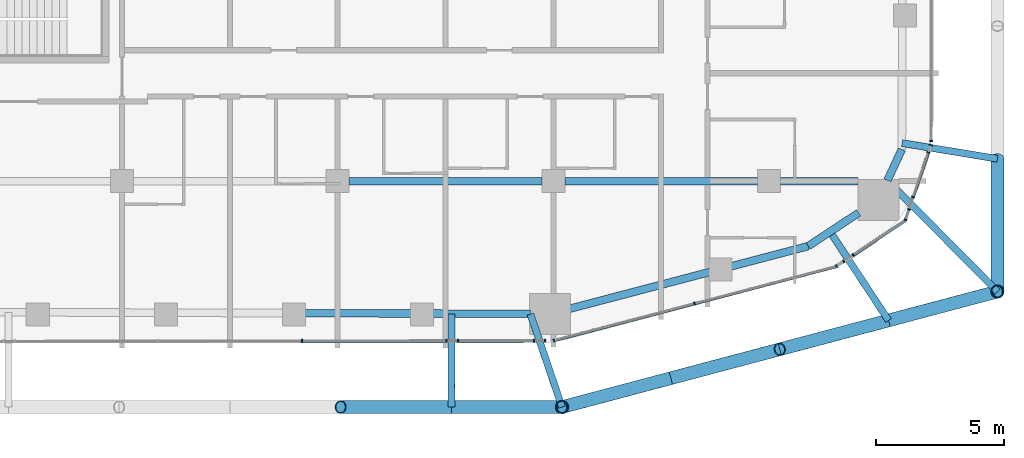
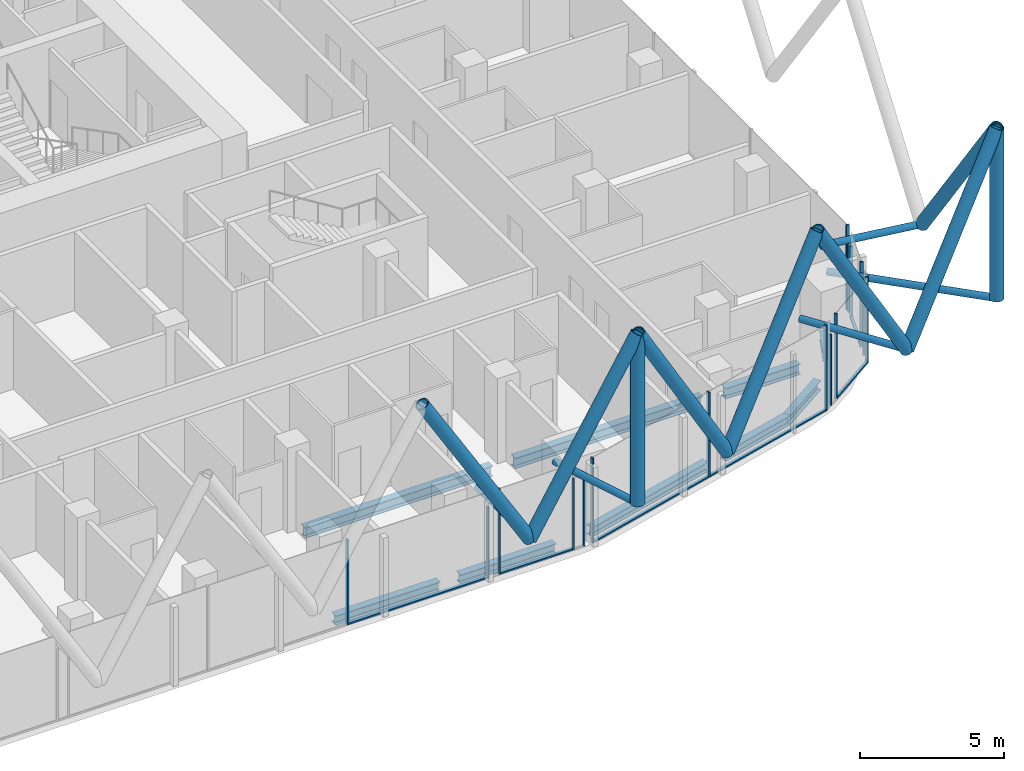
# One storey, part 6 of 36: 36 members, 9 beams, 13 elements without a shape of their own.
"""IFC4 building model written with IfcOpenShell, lengths in metres."""

from ifc_helpers import new_model, si_unit, direction, frame, origin, origin_2d, place, context, subcontext, project, spatial, rectangle, hollow_circle, i_section, extrude, material, layer, layer_set, material_profile, profile_set, type_object, element, aggregate, save


model = new_model("IFC4")

# Units and contexts
model_context = context("Model", 3, precision=1e-05, world=origin(), true_north=direction((0.0, 1.0)))
body_context = subcontext(model_context, "Body", "Model", "MODEL_VIEW")
ifc_project = project(units=[si_unit("LENGTHUNIT", "METRE"), si_unit("AREAUNIT", "SQUARE_METRE"), si_unit("VOLUMEUNIT", "CUBIC_METRE"), si_unit("PLANEANGLEUNIT", "RADIAN"), si_unit("MASSUNIT", "GRAM", prefix="KILO")], contexts=[model_context])

# Site, building, storey
site_placement = place(None, origin())
site = spatial("IfcSite", under=ifc_project, at=site_placement, CompositionType="ELEMENT")
building_placement = place(site_placement, origin())
building = spatial("IfcBuilding", under=site, at=building_placement, Name="Marenta Gate Hotel Tower", CompositionType="ELEMENT")
storey_placement = place(building_placement, frame((0.0, 0.0, 144.5)))
storey = spatial("IfcBuildingStorey", under=building, at=storey_placement, Name="L33", CompositionType="ELEMENT", Elevation=144.5)

# Members
ifc_material_1 = material(Name="Steel S355J2W", Category="steel")
ifc_material_profile_1 = material_profile(ifc_material_1, hollow_circle(Radius=0.25390625, WallThickness=0.02490234375, at=origin_2d()), Name="CHS 508x25")
ifc_profile_set_1 = profile_set([ifc_material_profile_1], Name="Steel S355J2W")
member_type_1 = type_object("IfcMemberType", Name="Diagrid corner post Z2 CHS 508x25", PredefinedType="POST", material=ifc_profile_set_1)
for number, where, z_axis, x_axis, name in (
    (1, (29.89990234375, -21.10009765625, 3.139892578125), (0.0, 0.0, 1.0), (1.0, 0.0, 0.0), "L33-DR-2"),
    (2, (12.93896484375, -25.60009765625, 3.139892578125), (0.0, 0.0, 1.0), (1.0, 0.0, 0.0), "L33-DR-3"),
):
    element("IfcMember", number, at=place(storey_placement, frame(where, z_axis=z_axis, x_axis=x_axis)), inside=storey, type_object=member_type_1, Name=name, PredefinedType="POST", context=body_context, shape_type="SweptSolid", body=[
        extrude(hollow_circle(Radius=0.25390625, WallThickness=0.02490234375, at=origin_2d()), origin(), (0.0, 0.0, 1.0), 7.2001953125),
    ])
ifc_material_2 = material(Name="Steel S355J2W", Category="steel")
ifc_material_profile_2 = material_profile(ifc_material_2, hollow_circle(Radius=0.25390625, WallThickness=0.0400390625, at=origin_2d()), Name="CHS 508x40")
ifc_profile_set_2 = profile_set([ifc_material_profile_2], Name="Steel S355J2W")
member_type_2 = type_object("IfcMemberType", Name="Diagrid diagonal Z2 CHS 508x40", PredefinedType="BRACE", material=ifc_profile_set_2)
member_1_placement = place(storey_placement, frame((29.89990234375, -15.93017578125, 3.139892578125), z_axis=(0.0, -0.583247791947, 0.812294289767), x_axis=(1.0, 0.0, 0.0)))
element("IfcMember", 3, at=member_1_placement, inside=storey, type_object=member_type_2, Name="L33-DG-10", PredefinedType="BRACE", context=body_context, shape_type="SweptSolid", body=[
    extrude(hollow_circle(Radius=0.25390625, WallThickness=0.0400390625, at=origin_2d()), origin(), (0.0, 0.0, 1.0), 8.864013671875),
])
member_2_placement = place(storey_placement, frame((25.659912109375, -22.22509765625, 3.139892578125), z_axis=(0.502889949368, 0.133432192474, 0.853989197142), x_axis=(-0.256456982503, 0.966555645644, 0.0)))
element("IfcMember", 4, at=member_2_placement, inside=storey, type_object=member_type_2, Name="L33-DG-11", PredefinedType="BRACE", context=body_context, shape_type="SweptSolid", body=[
    extrude(hollow_circle(Radius=0.25390625, WallThickness=0.0400390625, at=origin_2d()), origin(), (0.0, 0.0, 1.0), 8.43115234375),
])
for number, where, z_axis, x_axis, name in (
    (5, (25.659912109375, -22.22509765625, 3.139892578125), (-0.502933214587, -0.13342830634, 0.853964325211), (0.256429393985, -0.966562965306, 0.0), "L33-DG-12"),
    (6, (17.17919921875, -24.47509765625, 3.139892578125), (0.50291158245, 0.13343024942, 0.853976761263), (-0.256443187528, 0.96655930577, 0.0), "L33-DG-13"),
    (7, (17.17919921875, -24.47509765625, 3.139892578125), (-0.50291158245, -0.13343024942, 0.853976761263), (0.256443187528, -0.96655930577, 0.0), "L33-DG-14"),
):
    element("IfcMember", number, at=place(storey_placement, frame(where, z_axis=z_axis, x_axis=x_axis)), inside=storey, type_object=member_type_2, Name=name, PredefinedType="BRACE", context=body_context, shape_type="SweptSolid", body=[
        extrude(hollow_circle(Radius=0.25390625, WallThickness=0.0400390625, at=origin_2d()), origin(), (0.0, 0.0, 1.0), 8.431396484375),
    ])
for number, where, z_axis, x_axis, name in (
    (8, (8.6259765625, -25.60009765625, 3.139892578125), (0.513871079492, 0.0, 0.857867421961), (0.0, 1.0, 0.0), "L33-DG-15"),
    (9, (8.6259765625, -25.60009765625, 3.139892578125), (-0.513871079492, 0.0, 0.857867421961), (0.0, -1.0, 0.0), "L33-DG-16"),
):
    element("IfcMember", number, at=place(storey_placement, frame(where, z_axis=z_axis, x_axis=x_axis)), inside=storey, type_object=member_type_2, Name=name, PredefinedType="BRACE", context=body_context, shape_type="SweptSolid", body=[
        extrude(hollow_circle(Radius=0.25390625, WallThickness=0.0400390625, at=origin_2d()), origin(), (0.0, 0.0, 1.0), 8.39306640625),
    ])

# Beams
ifc_material_3 = material(Name="Steel S355", Category="steel")
ifc_material_profile_3 = material_profile(ifc_material_3, i_section(OverallWidth=0.300048828125, OverallDepth=0.39990234375, WebThickness=0.013427734375, FlangeThickness=0.02392578125, FilletRadius=0.027099609375, at=origin_2d()), Name="HEB 400")
ifc_profile_set_3 = profile_set([ifc_material_profile_3], Name="Steel S355")
beam_type_1 = type_object("IfcBeamType", Name="Edge beam HEB 400", PredefinedType="SPANDREL", material=ifc_profile_set_3)
beam_1_placement = place(storey_placement, frame((26.175048828125, -15.567138671875, -0.4599609375), z_axis=(-0.423207780269, -0.906032656541, 0.0), x_axis=(0.906032656541, -0.423207780269, 0.0)))
element("IfcBeam", 10, at=beam_1_placement, inside=storey, type_object=beam_type_1, Name="L33-EB-28", PredefinedType="SPANDREL", context=body_context, shape_type="SweptSolid", body=[
    extrude(i_section(OverallWidth=0.300048828125, OverallDepth=0.39990234375, WebThickness=0.013427734375, FlangeThickness=0.02392578125, FilletRadius=0.027099609375, at=origin_2d()), origin(), (0.0, 0.0, 1.0), 1.326904296875),
])
beam_2_placement = place(storey_placement, frame((24.496337890625, -18.0322265625, -0.4599609375), z_axis=(-0.834496060599, -0.551013906217, 0.0), x_axis=(0.551013906217, -0.834496060599, 0.0)))
element("IfcBeam", 11, at=beam_2_placement, inside=storey, type_object=beam_type_1, Name="L33-EB-29", PredefinedType="SPANDREL", context=body_context, shape_type="SweptSolid", body=[
    extrude(i_section(OverallWidth=0.300048828125, OverallDepth=0.39990234375, WebThickness=0.013427734375, FlangeThickness=0.02392578125, FilletRadius=0.027099609375, at=origin_2d()), origin(), (0.0, 0.0, 1.0), 2.357177734375),
])
beam_3_placement = place(storey_placement, frame((22.529296875, -19.3310546875, -0.4599609375), z_axis=(-0.967224706208, -0.25392197168, 0.0), x_axis=(0.25392197168, -0.967224706208, 0.0)))
element("IfcBeam", 12, at=beam_3_placement, inside=storey, type_object=beam_type_1, Name="L33-EB-30", PredefinedType="SPANDREL", context=body_context, shape_type="SweptSolid", body=[
    extrude(i_section(OverallWidth=0.300048828125, OverallDepth=0.39990234375, WebThickness=0.013427734375, FlangeThickness=0.02392578125, FilletRadius=0.027099609375, at=origin_2d()), origin(), (0.0, 0.0, 1.0), 3.11328125),
])
beam_4_placement = place(storey_placement, frame((18.695556640625, -20.33740234375, -0.4599609375), z_axis=(-0.96723321901, -0.253889542999, 0.0), x_axis=(0.253889542999, -0.96723321901, 0.0)))
element("IfcBeam", 13, at=beam_4_placement, inside=storey, type_object=beam_type_1, Name="L33-EB-31", PredefinedType="SPANDREL", context=body_context, shape_type="SweptSolid", body=[
    extrude(i_section(OverallWidth=0.300048828125, OverallDepth=0.39990234375, WebThickness=0.013427734375, FlangeThickness=0.02392578125, FilletRadius=0.027099609375, at=origin_2d()), origin(), (0.0, 0.0, 1.0), 5.6533203125),
])
beam_5_placement = place(storey_placement, frame((11.706298828125, -21.97021484375, -0.4599609375), z_axis=(-0.999994883969, 0.003198755307, 0.0), x_axis=(-0.003198755307, -0.999994883969, 0.0)))
element("IfcBeam", 14, at=beam_5_placement, inside=storey, type_object=beam_type_1, Name="L33-EB-32", PredefinedType="SPANDREL", context=body_context, shape_type="SweptSolid", body=[
    extrude(i_section(OverallWidth=0.300048828125, OverallDepth=0.39990234375, WebThickness=0.013427734375, FlangeThickness=0.02392578125, FilletRadius=0.027099609375, at=origin_2d()), origin(), (0.0, 0.0, 1.0), 3.816162109375),
])
beam_6_placement = place(storey_placement, frame((7.070068359375, -21.955322265625, -0.4599609375), z_axis=(-0.999994807487, 0.003222576575, 0.0), x_axis=(-0.003222576575, -0.999994807487, 0.0)))
element("IfcBeam", 15, at=beam_6_placement, inside=storey, type_object=beam_type_1, Name="L33-EB-33", PredefinedType="SPANDREL", context=body_context, shape_type="SweptSolid", body=[
    extrude(i_section(OverallWidth=0.300048828125, OverallDepth=0.39990234375, WebThickness=0.013427734375, FlangeThickness=0.02392578125, FilletRadius=0.027099609375, at=origin_2d()), origin(), (0.0, 0.0, 1.0), 4.166748046875),
])

# Members
ifc_material_4 = material(Name="Steel S355J2W", Category="steel")
ifc_material_profile_4 = material_profile(ifc_material_4, hollow_circle(Radius=0.136474609375, WallThickness=0.012451171875, at=origin_2d()), Name="CHS 273x12.5")
ifc_profile_set_4 = profile_set([ifc_material_profile_4], Name="Steel S355J2W")
member_type_3 = type_object("IfcMemberType", Name="Floor tie CHS 273x12.5", PredefinedType="STRUT", material=ifc_profile_set_4)
member_3_placement = place(storey_placement, frame((29.89990234375, -15.93017578125, 3.139892578125), z_axis=(-0.986724686623, 0.162401948291, 0.0), x_axis=(-0.162401948291, -0.986724686623, 0.0)))
element("IfcMember", 16, at=member_3_placement, inside=storey, type_object=member_type_3, Name="L33-DR-10", PredefinedType="STRUT", context=body_context, shape_type="SweptSolid", body=[
    extrude(hollow_circle(Radius=0.136474609375, WallThickness=0.012451171875, at=origin_2d()), origin(), (0.0, 0.0, 1.0), 3.767333984375),
])
member_4_placement = place(storey_placement, frame((29.89990234375, -21.10009765625, 3.139892578125), z_axis=(-0.703467207322, 0.710727717359, 0.0), x_axis=(-0.710727717359, -0.703467207322, 0.0)))
element("IfcMember", 17, at=member_4_placement, inside=storey, type_object=member_type_3, Name="L33-DR-11", PredefinedType="STRUT", context=body_context, shape_type="SweptSolid", body=[
    extrude(hollow_circle(Radius=0.136474609375, WallThickness=0.012451171875, at=origin_2d()), origin(), (0.0, 0.0, 1.0), 6.086181640625),
])
member_5_placement = place(storey_placement, frame((25.659912109375, -22.22509765625, 3.139892578125), z_axis=(-0.551028164998, 0.834486645417, 0.0), x_axis=(-0.834486645417, -0.551028164998, 0.0)))
element("IfcMember", 18, at=member_5_placement, inside=storey, type_object=member_type_3, Name="L33-DR-12", PredefinedType="STRUT", context=body_context, shape_type="SweptSolid", body=[
    extrude(hollow_circle(Radius=0.136474609375, WallThickness=0.012451171875, at=origin_2d()), origin(), (0.0, 0.0, 1.0), 4.13330078125),
])
member_6_placement = place(storey_placement, frame((12.93896484375, -25.60009765625, 3.139892578125), z_axis=(-0.321582426358, 0.94688158872, 0.0), x_axis=(-0.94688158872, -0.321582426358, 0.0)))
element("IfcMember", 19, at=member_6_placement, inside=storey, type_object=member_type_3, Name="L33-DR-13", PredefinedType="STRUT", context=body_context, shape_type="SweptSolid", body=[
    extrude(hollow_circle(Radius=0.136474609375, WallThickness=0.012451171875, at=origin_2d()), origin(), (0.0, 0.0, 1.0), 3.826171875),
])
member_7_placement = place(storey_placement, frame((8.6259765625, -25.60009765625, 3.139892578125), z_axis=(0.003225789668, 0.999994797127, 0.0), x_axis=(-0.999994797127, 0.003225789668, 0.0)))
element("IfcMember", 20, at=member_7_placement, inside=storey, type_object=member_type_3, Name="L33-DR-14", PredefinedType="STRUT", context=body_context, shape_type="SweptSolid", body=[
    extrude(hollow_circle(Radius=0.136474609375, WallThickness=0.012451171875, at=origin_2d()), origin(), (0.0, 0.0, 1.0), 3.6328125),
])

# Beams
ifc_material_5 = material(Name="Steel S355", Category="steel")
ifc_material_profile_5 = material_profile(ifc_material_5, i_section(OverallWidth=0.300048828125, OverallDepth=0.449951171875, WebThickness=0.013916015625, FlangeThickness=0.02587890625, FilletRadius=0.027099609375, at=origin_2d()), Name="HEB 450")
ifc_profile_set_5 = profile_set([ifc_material_profile_5], Name="Steel S355")
beam_type_2 = type_object("IfcBeamType", Name="Girder HEB 450", PredefinedType="BEAM", material=ifc_profile_set_5)
for number, where, z_axis, x_axis, name in (
    (21, (4.64990234375, -16.800048828125, -0.485107421875), (1.0, 0.0, 0.0), (0.0, 1.0, 0.0), "L33-GD-5"),
    (22, (13.050048828125, -16.800048828125, -0.485107421875), (1.0, 0.0, 0.0), (0.0, 1.0, 0.0), "L33-GD-6"),
):
    element("IfcBeam", number, at=place(storey_placement, frame(where, z_axis=z_axis, x_axis=x_axis)), inside=storey, type_object=beam_type_2, Name=name, PredefinedType="BEAM", context=body_context, shape_type="SweptSolid", body=[
        extrude(i_section(OverallWidth=0.300048828125, OverallDepth=0.449951171875, WebThickness=0.013916015625, FlangeThickness=0.02587890625, FilletRadius=0.027099609375, at=origin_2d()), origin(), (0.0, 0.0, 1.0), 7.5),
    ])
beam_7_placement = place(storey_placement, frame((21.449951171875, -16.800048828125, -0.485107421875), z_axis=(1.0, 0.0, 0.0), x_axis=(0.0, 1.0, 0.0)))
element("IfcBeam", 23, at=beam_7_placement, inside=storey, type_object=beam_type_2, Name="L33-GD-7", PredefinedType="BEAM", context=body_context, shape_type="SweptSolid", body=[
    extrude(i_section(OverallWidth=0.300048828125, OverallDepth=0.449951171875, WebThickness=0.013916015625, FlangeThickness=0.02587890625, FilletRadius=0.027099609375, at=origin_2d()), origin(), (0.0, 0.0, 1.0), 3.012939453125),
])

# Curtain wall, member
ifc_material_6 = material(Name="Tinted insulated glass in bronze anodised frame", Category="glass")
ifc_layer = layer(ifc_material_6, 0.1201171875)
ifc_layer_set = layer_set([ifc_layer], Name="Tinted insulated glass in bronze anodised frame")
curtain_wall_type = type_object("IfcCurtainWallType", Name="Tower unitised curtain wall CW1", PredefinedType="NOTDEFINED", material=ifc_layer_set)
curtain_wall_1_placement = place(storey_placement, origin())
curtain_wall_1 = element("IfcCurtainWall", 24, at=curtain_wall_1_placement, inside=storey, type_object=curtain_wall_type, Name="CW1 run G21", PredefinedType="NOTDEFINED")
ifc_material_7 = material(Name="Bronze anodised aluminium", Category="aluminium")
ifc_material_profile_6 = material_profile(ifc_material_7, rectangle(XDim=0.1201171875, YDim=0.06005859375, at=origin_2d()), Name="Mullion CW1 60x120 bronze anodised aluminium")
ifc_profile_set_6 = profile_set([ifc_material_profile_6], Name="Bronze anodised aluminium")
member_type_4 = type_object("IfcMemberType", Name="Mullion CW1 60x120 bronze anodised aluminium", PredefinedType="MULLION", material=ifc_profile_set_6)
member_8_placement = place(storey_placement, frame((2.80810546875, -23.026611328125, 0.0), z_axis=(0.0, 0.0, 1.0), x_axis=(-0.001363166999, 0.999999070887, 0.0)))
member_8 = element("IfcMember", 25, at=member_8_placement, type_object=member_type_4, Name="CW1 mullion 3", PredefinedType="MULLION", context=body_context, shape_type="SweptSolid", body=[
    extrude(rectangle(XDim=0.1201171875, YDim=0.06005859375, at=origin_2d()), origin(), (0.0, 0.0, 1.0), 3.60009765625),
])

curtain_wall_2_placement = place(storey_placement, origin())
curtain_wall_2 = element("IfcCurtainWall", 26, at=curtain_wall_2_placement, inside=storey, type_object=curtain_wall_type, Name="CW1 run G22", PredefinedType="NOTDEFINED")
member_9_placement = place(storey_placement, frame((8.437744140625, -23.01904296875, 0.0), z_axis=(0.0, 0.0, 1.0), x_axis=(-0.001324502144, 0.999999122847, 0.0)))
member_9 = element("IfcMember", 27, at=member_9_placement, type_object=member_type_4, Name="CW1 mullion 1", PredefinedType="MULLION", context=body_context, shape_type="SweptSolid", body=[
    extrude(rectangle(XDim=0.1201171875, YDim=0.06005859375, at=origin_2d()), origin(), (0.0, 0.0, 1.0), 3.00048828125),
])
aggregate(curtain_wall_2, [member_9])

curtain_wall_3_placement = place(storey_placement, origin())
curtain_wall_3 = element("IfcCurtainWall", 28, at=curtain_wall_3_placement, inside=storey, type_object=curtain_wall_type, Name="CW1 run G23", PredefinedType="NOTDEFINED")
member_10_placement = place(storey_placement, frame((8.890869140625, -23.018310546875, 0.0), z_axis=(0.0, 0.0, 1.0), x_axis=(-0.001384712772, 0.999999041285, 0.0)))
member_10 = element("IfcMember", 29, at=member_10_placement, type_object=member_type_4, Name="CW1 mullion 1", PredefinedType="MULLION", context=body_context, shape_type="SweptSolid", body=[
    extrude(rectangle(XDim=0.1201171875, YDim=0.06005859375, at=origin_2d()), origin(), (0.0, 0.0, 1.0), 3.60009765625),
])

# Curtain wall, members
curtain_wall_4_placement = place(storey_placement, origin())
curtain_wall_4 = element("IfcCurtainWall", 30, at=curtain_wall_4_placement, inside=storey, type_object=curtain_wall_type, Name="CW1 run G24", PredefinedType="NOTDEFINED")
member_11_placement = place(storey_placement, frame((11.851806640625, -23.01416015625, 0.0), z_axis=(0.0, 0.0, 1.0), x_axis=(-0.001254704164, 0.999999212858, 0.0)))
member_11 = element("IfcMember", 31, at=member_11_placement, type_object=member_type_4, Name="CW1 mullion 1", PredefinedType="MULLION", context=body_context, shape_type="SweptSolid", body=[
    extrude(rectangle(XDim=0.1201171875, YDim=0.06005859375, at=origin_2d()), origin(), (0.0, 0.0, 1.0), 3.00048828125),
])
member_12_placement = place(storey_placement, frame((12.27001953125, -23.013671875, 0.0), z_axis=(0.0, 0.0, 1.0), x_axis=(-0.001254704164, 0.999999212858, 0.0)))
member_12 = element("IfcMember", 32, at=member_12_placement, type_object=member_type_4, Name="CW1 mullion 2", PredefinedType="MULLION", context=body_context, shape_type="SweptSolid", body=[
    extrude(rectangle(XDim=0.1201171875, YDim=0.06005859375, at=origin_2d()), origin(), (0.0, 0.0, 1.0), 3.00048828125),
])
aggregate(curtain_wall_4, [member_11, member_12])

curtain_wall_5_placement = place(storey_placement, origin())
curtain_wall_5 = element("IfcCurtainWall", 33, at=curtain_wall_5_placement, inside=storey, type_object=curtain_wall_type, Name="CW1 run G25", PredefinedType="NOTDEFINED")
member_13_placement = place(storey_placement, frame((12.626708984375, -23.005615234375, 0.0), z_axis=(0.0, 0.0, 1.0), x_axis=(-0.253374270473, 0.967368326473, 0.0)))
member_13 = element("IfcMember", 34, at=member_13_placement, type_object=member_type_4, Name="CW1 mullion 1", PredefinedType="MULLION", context=body_context, shape_type="SweptSolid", body=[
    extrude(rectangle(XDim=0.1201171875, YDim=0.06005859375, at=origin_2d()), origin(), (0.0, 0.0, 1.0), 3.60009765625),
])
member_14_placement = place(storey_placement, frame((18.102783203125, -21.571533203125, 0.0), z_axis=(0.0, 0.0, 1.0), x_axis=(-0.253374270473, 0.967368326473, 0.0)))
member_14 = element("IfcMember", 35, at=member_14_placement, type_object=member_type_4, Name="CW1 mullion 2", PredefinedType="MULLION", context=body_context, shape_type="SweptSolid", body=[
    extrude(rectangle(XDim=0.1201171875, YDim=0.06005859375, at=origin_2d()), origin(), (0.0, 0.0, 1.0), 3.60009765625),
])

# Curtain wall, member
curtain_wall_6_placement = place(storey_placement, origin())
curtain_wall_6 = element("IfcCurtainWall", 36, at=curtain_wall_6_placement, inside=storey, type_object=curtain_wall_type, Name="CW1 run G26", PredefinedType="NOTDEFINED")
member_15_placement = place(storey_placement, frame((23.632568359375, -20.113037109375, 0.0), z_axis=(0.0, 0.0, 1.0), x_axis=(-0.553864525199, 0.832606802594, 0.0)))
member_15 = element("IfcMember", 37, at=member_15_placement, type_object=member_type_4, Name="CW1 mullion 1", PredefinedType="MULLION", context=body_context, shape_type="SweptSolid", body=[
    extrude(rectangle(XDim=0.1201171875, YDim=0.06005859375, at=origin_2d()), origin(), (0.0, 0.0, 1.0), 3.60009765625),
])
aggregate(curtain_wall_6, [member_15])

curtain_wall_7_placement = place(storey_placement, origin())
curtain_wall_7 = element("IfcCurtainWall", 38, at=curtain_wall_7_placement, inside=storey, type_object=curtain_wall_type, Name="CW1 run G27", PredefinedType="NOTDEFINED")
member_16_placement = place(storey_placement, frame((23.90869140625, -19.929443359375, 0.0), z_axis=(0.0, 0.0, 1.0), x_axis=(-0.554088731944, 0.832457612814, 0.0)))
member_16 = element("IfcMember", 39, at=member_16_placement, type_object=member_type_4, Name="CW1 mullion 1", PredefinedType="MULLION", context=body_context, shape_type="SweptSolid", body=[
    extrude(rectangle(XDim=0.1201171875, YDim=0.06005859375, at=origin_2d()), origin(), (0.0, 0.0, 1.0), 3.00048828125),
])
aggregate(curtain_wall_7, [member_16])

curtain_wall_8_placement = place(storey_placement, origin())
curtain_wall_8 = element("IfcCurtainWall", 40, at=curtain_wall_8_placement, inside=storey, type_object=curtain_wall_type, Name="CW1 run G28", PredefinedType="NOTDEFINED")
member_17_placement = place(storey_placement, frame((24.28564453125, -19.678466796875, 0.0), z_axis=(0.0, 0.0, 1.0), x_axis=(-0.554023350707, 0.832501127249, 0.0)))
member_17 = element("IfcMember", 41, at=member_17_placement, type_object=member_type_4, Name="CW1 mullion 1", PredefinedType="MULLION", context=body_context, shape_type="SweptSolid", body=[
    extrude(rectangle(XDim=0.1201171875, YDim=0.06005859375, at=origin_2d()), origin(), (0.0, 0.0, 1.0), 3.60009765625),
])

curtain_wall_9_placement = place(storey_placement, origin())
curtain_wall_9 = element("IfcCurtainWall", 42, at=curtain_wall_9_placement, inside=storey, type_object=curtain_wall_type, Name="CW1 run G29", PredefinedType="NOTDEFINED")
member_18_placement = place(storey_placement, frame((26.314453125, -18.30615234375, 0.0), z_axis=(0.0, 0.0, 1.0), x_axis=(-0.946727185016, 0.322036701561, 0.0)))
member_18 = element("IfcMember", 43, at=member_18_placement, type_object=member_type_4, Name="CW1 mullion 1", PredefinedType="MULLION", context=body_context, shape_type="SweptSolid", body=[
    extrude(rectangle(XDim=0.1201171875, YDim=0.06005859375, at=origin_2d()), origin(), (0.0, 0.0, 1.0), 3.60009765625),
])
aggregate(curtain_wall_9, [member_18])

curtain_wall_10_placement = place(storey_placement, origin())
curtain_wall_10 = element("IfcCurtainWall", 44, at=curtain_wall_10_placement, inside=storey, type_object=curtain_wall_type, Name="CW1 run G30", PredefinedType="NOTDEFINED")
member_19_placement = place(storey_placement, frame((26.452392578125, -17.90087890625, 0.0), z_axis=(0.0, 0.0, 1.0), x_axis=(-0.946729383953, 0.322030237029, 0.0)))
member_19 = element("IfcMember", 45, at=member_19_placement, type_object=member_type_4, Name="CW1 mullion 1", PredefinedType="MULLION", context=body_context, shape_type="SweptSolid", body=[
    extrude(rectangle(XDim=0.1201171875, YDim=0.06005859375, at=origin_2d()), origin(), (0.0, 0.0, 1.0), 3.00048828125),
])
aggregate(curtain_wall_10, [member_19])

curtain_wall_11_placement = place(storey_placement, origin())
curtain_wall_11 = element("IfcCurtainWall", 46, at=curtain_wall_11_placement, inside=storey, type_object=curtain_wall_type, Name="CW1 run G31", PredefinedType="NOTDEFINED")
member_20_placement = place(storey_placement, frame((26.615478515625, -17.421630859375, 0.0), z_axis=(0.0, 0.0, 1.0), x_axis=(-0.946728842502, 0.322031828824, 0.0)))
member_20 = element("IfcMember", 47, at=member_20_placement, type_object=member_type_4, Name="CW1 mullion 1", PredefinedType="MULLION", context=body_context, shape_type="SweptSolid", body=[
    extrude(rectangle(XDim=0.1201171875, YDim=0.06005859375, at=origin_2d()), origin(), (0.0, 0.0, 1.0), 3.60009765625),
])

# Curtain wall, members
curtain_wall_12_placement = place(storey_placement, origin())
curtain_wall_12 = element("IfcCurtainWall", 48, at=curtain_wall_12_placement, inside=storey, type_object=curtain_wall_type, Name="CW1 run G32", PredefinedType="NOTDEFINED")
member_21_placement = place(storey_placement, frame((27.205810546875, -15.686279296875, 0.0), z_axis=(0.0, 0.0, 1.0), x_axis=(-0.946726116827, 0.322039841818, 0.0)))
member_21 = element("IfcMember", 49, at=member_21_placement, type_object=member_type_4, Name="CW1 mullion 1", PredefinedType="MULLION", context=body_context, shape_type="SweptSolid", body=[
    extrude(rectangle(XDim=0.1201171875, YDim=0.06005859375, at=origin_2d()), origin(), (0.0, 0.0, 1.0), 3.00048828125),
])
member_22_placement = place(storey_placement, frame((27.304443359375, -15.396484375, 0.0), z_axis=(0.0, 0.0, 1.0), x_axis=(-0.946726116827, 0.322039841818, 0.0)))
member_22 = element("IfcMember", 50, at=member_22_placement, type_object=member_type_4, Name="CW1 mullion 2", PredefinedType="MULLION", context=body_context, shape_type="SweptSolid", body=[
    extrude(rectangle(XDim=0.1201171875, YDim=0.06005859375, at=origin_2d()), origin(), (0.0, 0.0, 1.0), 3.00048828125),
])
aggregate(curtain_wall_12, [member_21, member_22])

# Curtain wall, member
curtain_wall_13_placement = place(storey_placement, origin())
curtain_wall_13 = element("IfcCurtainWall", 51, at=curtain_wall_13_placement, inside=storey, type_object=curtain_wall_type, Name="CW1 run G33", PredefinedType="NOTDEFINED")
member_23_placement = place(storey_placement, frame((27.31396484375, -15.244873046875, 0.0), z_axis=(0.0, 0.0, 1.0), x_axis=(-1.0, 0.0, 0.0)))
member_23 = element("IfcMember", 52, at=member_23_placement, type_object=member_type_4, Name="CW1 mullion 1", PredefinedType="MULLION", context=body_context, shape_type="SweptSolid", body=[
    extrude(rectangle(XDim=0.1201171875, YDim=0.06005859375, at=origin_2d()), origin(), (0.0, 0.0, 1.0), 3.60009765625),
])
aggregate(curtain_wall_13, [member_23])

# Member
ifc_material_8 = material(Name="Bronze anodised aluminium", Category="aluminium")
ifc_material_profile_7 = material_profile(ifc_material_8, rectangle(XDim=0.1201171875, YDim=0.06005859375, at=origin_2d()), Name="Transom CW1 60x120 bronze anodised aluminium")
ifc_profile_set_7 = profile_set([ifc_material_profile_7], Name="Bronze anodised aluminium")
member_type_5 = type_object("IfcMemberType", Name="Transom CW1 60x120 bronze anodised aluminium", PredefinedType="USERDEFINED", material=ifc_profile_set_7)
member_24_placement = place(storey_placement, frame((2.838134765625, -23.026611328125, 0.030029296875), z_axis=(0.999999076732, 0.001358873071, 0.0), x_axis=(-0.001358873071, 0.999999076732, 0.0)))
member_24 = element("IfcMember", 53, at=member_24_placement, type_object=member_type_5, Name="CW1 transom 3.1", ObjectType="TRANSOM", PredefinedType="USERDEFINED", context=body_context, shape_type="SweptSolid", body=[
    extrude(rectangle(XDim=0.1201171875, YDim=0.06005859375, at=origin_2d()), origin(), (0.0, 0.0, 1.0), 5.569580078125),
])

aggregate(curtain_wall_1, [member_8, member_24])

member_25_placement = place(storey_placement, frame((8.9208984375, -23.018310546875, 0.030029296875), z_axis=(0.99999909337, 0.00134657343, 0.0), x_axis=(-0.00134657343, 0.99999909337, 0.0)))
member_25 = element("IfcMember", 54, at=member_25_placement, type_object=member_type_5, Name="CW1 transom 1.1", ObjectType="TRANSOM", PredefinedType="USERDEFINED", context=body_context, shape_type="SweptSolid", body=[
    extrude(rectangle(XDim=0.1201171875, YDim=0.06005859375, at=origin_2d()), origin(), (0.0, 0.0, 1.0), 2.90087890625),
])

aggregate(curtain_wall_3, [member_10, member_25])

member_26_placement = place(storey_placement, frame((12.65576171875, -22.998046875, 0.030029296875), z_axis=(0.967374258372, 0.25335162174, 0.0), x_axis=(-0.25335162174, 0.967374258372, 0.0)))
member_26 = element("IfcMember", 55, at=member_26_placement, type_object=member_type_5, Name="CW1 transom 1.1", ObjectType="TRANSOM", PredefinedType="USERDEFINED", context=body_context, shape_type="SweptSolid", body=[
    extrude(rectangle(XDim=0.1201171875, YDim=0.06005859375, at=origin_2d()), origin(), (0.0, 0.0, 1.0), 5.6005859375),
])

member_27_placement = place(storey_placement, frame((18.1318359375, -21.56396484375, 0.030029296875), z_axis=(0.967364420611, 0.253389182357, 0.0), x_axis=(-0.253389182357, 0.967364420611, 0.0)))
member_27 = element("IfcMember", 56, at=member_27_placement, type_object=member_type_5, Name="CW1 transom 2.1", ObjectType="TRANSOM", PredefinedType="USERDEFINED", context=body_context, shape_type="SweptSolid", body=[
    extrude(rectangle(XDim=0.1201171875, YDim=0.06005859375, at=origin_2d()), origin(), (0.0, 0.0, 1.0), 5.66064453125),
])

aggregate(curtain_wall_5, [member_13, member_14, member_26, member_27])

member_28_placement = place(storey_placement, frame((24.310546875, -19.661865234375, 0.030029296875), z_axis=(0.832520358973, 0.553994451142, 0.0), x_axis=(-0.553994451142, 0.832520358973, 0.0)))
member_28 = element("IfcMember", 57, at=member_28_placement, type_object=member_type_5, Name="CW1 transom 1.1", ObjectType="TRANSOM", PredefinedType="USERDEFINED", context=body_context, shape_type="SweptSolid", body=[
    extrude(rectangle(XDim=0.1201171875, YDim=0.06005859375, at=origin_2d()), origin(), (0.0, 0.0, 1.0), 2.3955078125),
])

aggregate(curtain_wall_8, [member_17, member_28])

member_29_placement = place(storey_placement, frame((26.625, -17.393310546875, 0.030029296875), z_axis=(0.322045894615, 0.946724057876, 0.0), x_axis=(-0.946724057876, 0.322045894615, 0.0)))
member_29 = element("IfcMember", 58, at=member_29_placement, type_object=member_type_5, Name="CW1 transom 1.1", ObjectType="TRANSOM", PredefinedType="USERDEFINED", context=body_context, shape_type="SweptSolid", body=[
    extrude(rectangle(XDim=0.1201171875, YDim=0.06005859375, at=origin_2d()), origin(), (0.0, 0.0, 1.0), 1.773193359375),
])

aggregate(curtain_wall_11, [member_20, member_29])

save(model, "model.ifc")
